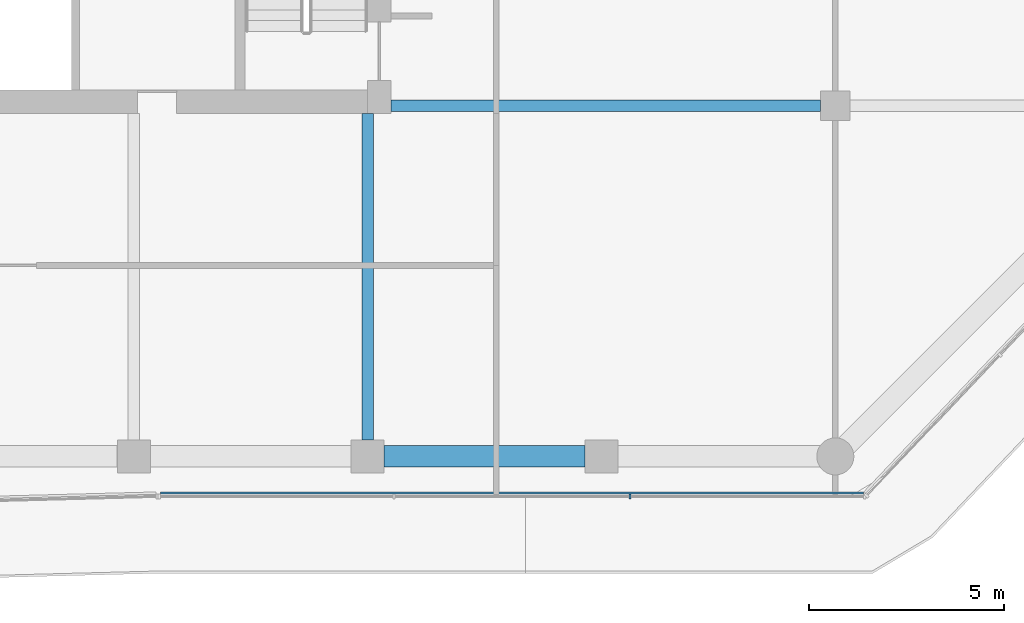
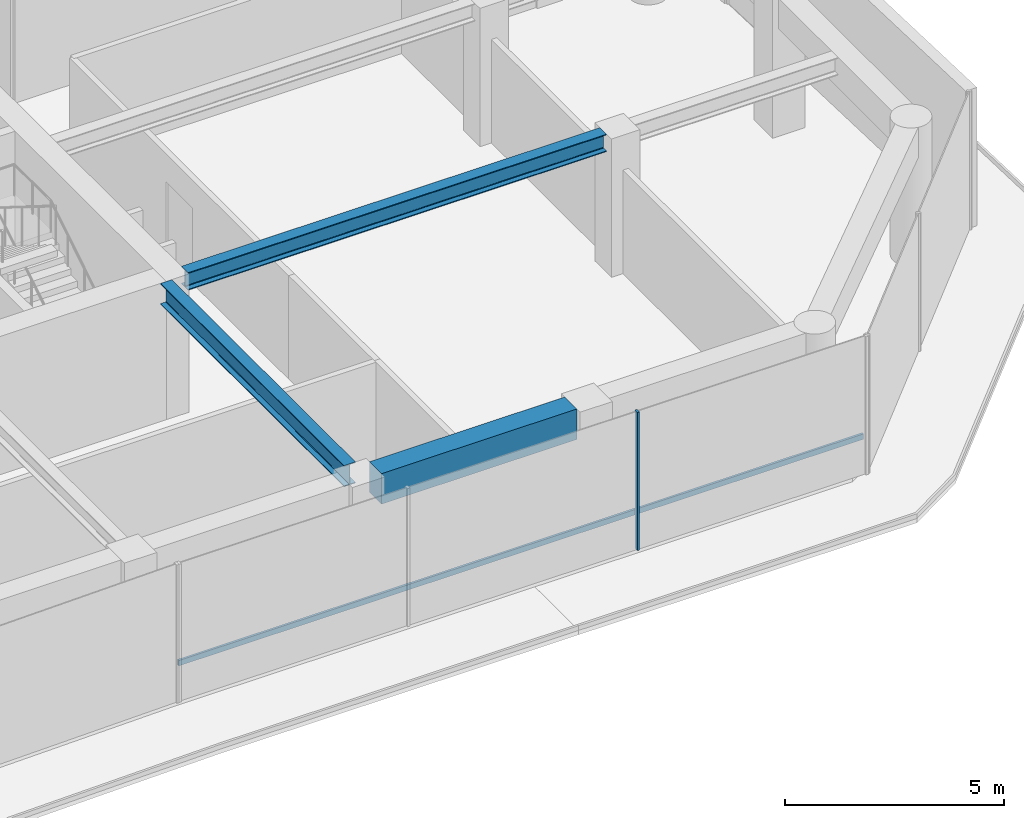
# One storey, part 3 of 20: 3 beams, 2 members, 1 element without a shape of its own.
"""IFC4 building model written with IfcOpenShell, lengths in metres."""

from ifc_helpers import new_model, si_unit, direction, frame, origin, origin_2d, place, context, subcontext, project, spatial, rectangle, i_section, extrude, material, layer, layer_set, material_profile, profile_set, type_object, element, aggregate, save


model = new_model("IFC4")

# Units and contexts
model_context = context("Model", 3, precision=1e-05, world=origin(), true_north=direction((0.0, 1.0)))
body_context = subcontext(model_context, "Body", "Model", "MODEL_VIEW")
ifc_project = project(units=[si_unit("LENGTHUNIT", "METRE"), si_unit("AREAUNIT", "SQUARE_METRE"), si_unit("VOLUMEUNIT", "CUBIC_METRE"), si_unit("PLANEANGLEUNIT", "RADIAN"), si_unit("MASSUNIT", "GRAM", prefix="KILO")], contexts=[model_context])

# Site, building, storey
site_placement = place(None, origin())
site = spatial("IfcSite", under=ifc_project, at=site_placement, CompositionType="ELEMENT")
building_placement = place(site_placement, origin())
building = spatial("IfcBuilding", under=site, at=building_placement, Name="Welwitschia Terrace Campus", CompositionType="ELEMENT")
storey_placement = place(building_placement, frame((0.0, 0.0, 176.0)))
storey = spatial("IfcBuildingStorey", under=building, at=storey_placement, Name="L39", CompositionType="ELEMENT", Elevation=176.0)

# Beam
ifc_material_1 = material(Name="Steel S355", Category="steel")
ifc_material_profile_1 = material_profile(ifc_material_1, i_section(OverallWidth=0.300048828125, OverallDepth=0.489990234375, WebThickness=0.011962890625, FlangeThickness=0.02294921875, FilletRadius=0.027099609375, at=origin_2d()))
ifc_profile_set_1 = profile_set([ifc_material_profile_1], Name="Steel S355")
beam_type_1 = type_object("IfcBeamType", Name="Interior girder HE 500 A", PredefinedType="BEAM", material=ifc_profile_set_1)
beam_1_placement = place(storey_placement, frame((24.60107421875, 5.0, 3.60498046875), z_axis=(1.0, 0.0, 0.0), x_axis=(0.0, 1.0, 0.0)))
element("IfcBeam", 1, at=beam_1_placement, inside=storey, type_object=beam_type_1, Name="Girder GB4", PredefinedType="BEAM", context=body_context, shape_type="SweptSolid", body=[
    extrude(i_section(OverallWidth=0.300048828125, OverallDepth=0.489990234375, WebThickness=0.011962890625, FlangeThickness=0.02294921875, FilletRadius=0.027099609375, at=origin_2d()), origin(), (0.0, 0.0, 1.0), 11.0234375),
])

# Curtain wall, member
ifc_material_2 = material(Name="Bronze anodised aluminium", Category="aluminium")
ifc_layer = layer(ifc_material_2, 0.1201171875)
ifc_layer_set = layer_set([ifc_layer], Name="Bronze anodised aluminium")
curtain_wall_type = type_object("IfcCurtainWallType", Name="Curtain wall CW2 tower 6000", PredefinedType="NOTDEFINED", material=ifc_layer_set)
curtain_wall_placement = place(storey_placement, origin())
curtain_wall = element("IfcCurtainWall", 2, at=curtain_wall_placement, inside=storey, type_object=curtain_wall_type, Name="CW L39.3.0", PredefinedType="NOTDEFINED")
ifc_material_3 = material(Name="Bronze anodised aluminium", Category="aluminium")
ifc_material_profile_2 = material_profile(ifc_material_3, rectangle(XDim=0.1201171875, YDim=0.06005859375, at=origin_2d()))
ifc_profile_set_2 = profile_set([ifc_material_profile_2], Name="Bronze anodised aluminium")
member_type_1 = type_object("IfcMemberType", Name="Mullion 60x120", PredefinedType="MULLION", material=ifc_profile_set_2)
member_1_placement = place(storey_placement, frame((30.72998046875, -5.030029296875, 0.0), z_axis=(0.0, 0.0, 1.0), x_axis=(0.0, 1.0, 0.0)))
member_1 = element("IfcMember", 3, at=member_1_placement, type_object=member_type_1, Name="Mullion L39.3.0.2", PredefinedType="MULLION", context=body_context, shape_type="SweptSolid", body=[
    extrude(rectangle(XDim=0.1201171875, YDim=0.06005859375, at=origin_2d()), origin(), (0.0, 0.0, 1.0), 3.85009765625),
])

# Beams
ifc_material_4 = material(Name="Steel S355", Category="steel")
ifc_material_profile_3 = material_profile(ifc_material_4, i_section(OverallWidth=0.300048828125, OverallDepth=0.590087890625, WebThickness=0.012939453125, FlangeThickness=0.02490234375, FilletRadius=0.027099609375, at=origin_2d()))
ifc_profile_set_3 = profile_set([ifc_material_profile_3], Name="Steel S355")
beam_type_2 = type_object("IfcBeamType", Name="Primary beam HE 600 A", PredefinedType="BEAM", material=ifc_profile_set_3)
beam_2_placement = place(storey_placement, frame((24.0, -3.574462890625, 3.554931640625), z_axis=(0.0, 1.0, 0.0), x_axis=(-1.0, 0.0, 0.0)))
element("IfcBeam", 4, at=beam_2_placement, inside=storey, type_object=beam_type_2, Name="Primary beam PB4", PredefinedType="BEAM", context=body_context, shape_type="SweptSolid", body=[
    extrude(i_section(OverallWidth=0.300048828125, OverallDepth=0.590087890625, WebThickness=0.012939453125, FlangeThickness=0.02490234375, FilletRadius=0.027099609375, at=origin_2d()), origin(), (0.0, 0.0, 1.0), 8.37451171875),
])
ifc_material_5 = material(Name="Concrete C50/60", Category="concrete")
ifc_material_profile_4 = material_profile(ifc_material_5, rectangle(XDim=0.550048828125, YDim=0.85009765625, at=origin_2d()))
ifc_profile_set_4 = profile_set([ifc_material_profile_4], Name="Concrete C50/60")
beam_type_3 = type_object("IfcBeamType", Name="Ring spandrel 550x850", PredefinedType="SPANDREL", material=ifc_profile_set_4)
beam_3_placement = place(storey_placement, frame((24.425537109375, -4.0, 3.425048828125), z_axis=(1.0, 0.0, 0.0), x_axis=(0.0, 1.0, 0.0)))
element("IfcBeam", 5, at=beam_3_placement, inside=storey, type_object=beam_type_3, Name="Spandrel SP3", PredefinedType="SPANDREL", context=body_context, shape_type="SweptSolid", body=[
    extrude(rectangle(XDim=0.550048828125, YDim=0.85009765625, at=origin_2d()), origin(), (0.0, 0.0, 1.0), 5.14892578125),
])

# Member
ifc_material_6 = material(Name="Bronze anodised aluminium", Category="aluminium")
ifc_material_profile_5 = material_profile(ifc_material_6, rectangle(XDim=0.06005859375, YDim=0.14990234375, at=origin_2d()))
ifc_profile_set_5 = profile_set([ifc_material_profile_5], Name="Bronze anodised aluminium")
member_type_2 = type_object("IfcMemberType", Name="Transom 60x150", PredefinedType="USERDEFINED", material=ifc_profile_set_5)
member_2_placement = place(storey_placement, frame((18.686279296875, -4.93994140625, 1.0), z_axis=(1.0, 0.0, 0.0), x_axis=(0.0, 1.0, 0.0)))
member_2 = element("IfcMember", 6, at=member_2_placement, type_object=member_type_2, Name="Transom L39.3.0", ObjectType="TRANSOM", PredefinedType="USERDEFINED", context=body_context, shape_type="SweptSolid", body=[
    extrude(rectangle(XDim=0.06005859375, YDim=0.14990234375, at=origin_2d()), origin(), (0.0, 0.0, 1.0), 18.035400390625),
])

aggregate(curtain_wall, [member_1, member_2])

save(model, "model.ifc")
